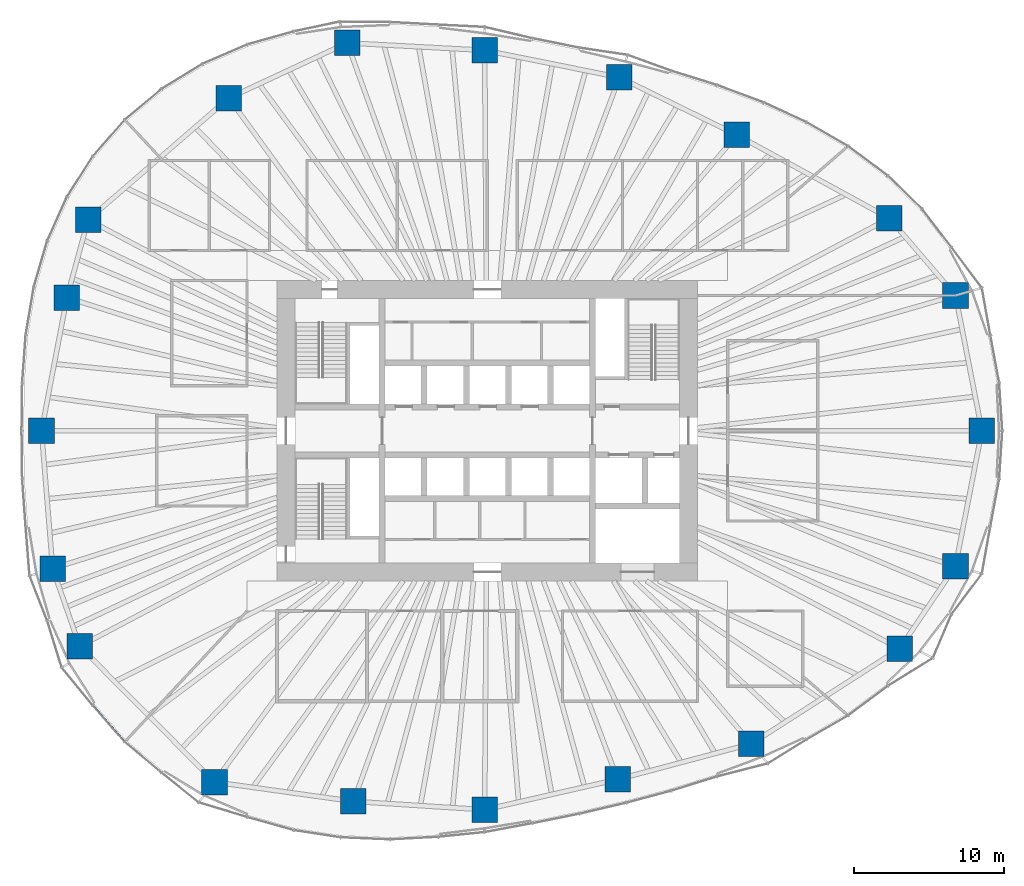
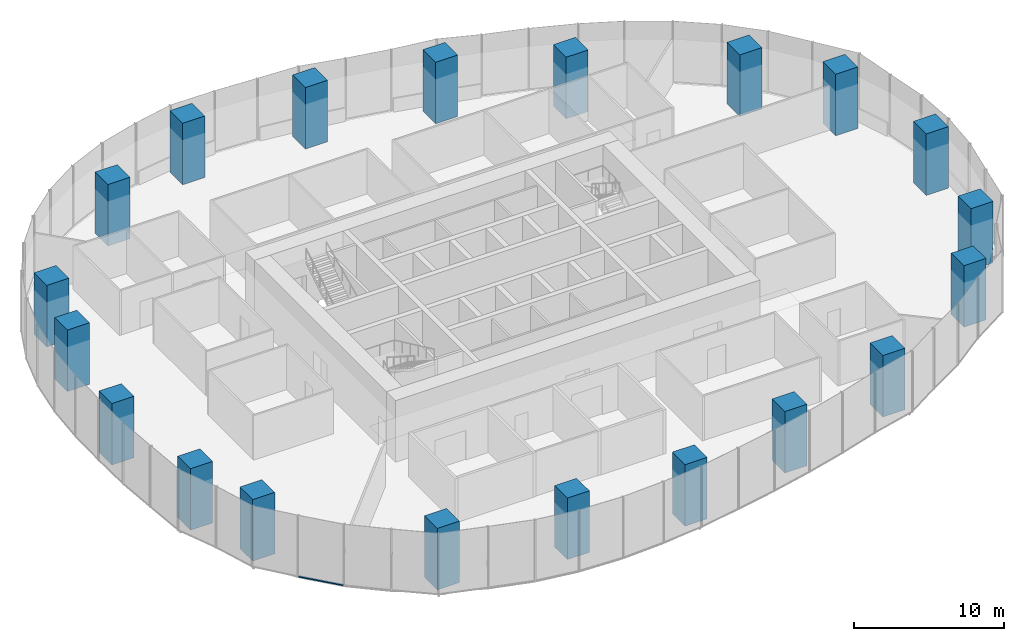
# One storey, part 1 of 19: 20 columns, 1 member, 1 element without a shape of its own.
"""IFC4 building model written with IfcOpenShell, lengths in metres."""

from ifc_helpers import new_model, si_unit, direction, frame, origin, origin_2d, place, context, subcontext, project, spatial, rectangle, extrude, material, material_profile, profile_set, type_object, element, aggregate, save


model = new_model("IFC4")

# Units and contexts
model_context = context("Model", 3, precision=1e-05, world=origin(), true_north=direction((0.0, 1.0)))
body_context = subcontext(model_context, "Body", "Model", "MODEL_VIEW")
ifc_project = project(units=[si_unit("LENGTHUNIT", "METRE"), si_unit("AREAUNIT", "SQUARE_METRE"), si_unit("VOLUMEUNIT", "CUBIC_METRE"), si_unit("PLANEANGLEUNIT", "RADIAN"), si_unit("MASSUNIT", "GRAM", prefix="KILO")], contexts=[model_context])

# Site, building, storey
site_placement = place(None, origin())
site = spatial("IfcSite", under=ifc_project, at=site_placement, CompositionType="ELEMENT")
building_placement = place(site_placement, origin())
building = spatial("IfcBuilding", under=site, at=building_placement, Name="Ghaith Harvest Tower", CompositionType="ELEMENT")
storey_placement = place(building_placement, frame((0.0, 0.0, 70.0)))
storey = spatial("IfcBuildingStorey", under=building, at=storey_placement, Name="L14", CompositionType="ELEMENT", Elevation=70.0)

# Columns
ifc_material_1 = material(Name="Concrete C70/85", Category="concrete")
ifc_material_profile_1 = material_profile(ifc_material_1, rectangle(XDim=1.699951171875, YDim=1.699951171875, at=origin_2d()), Name="RC1700X1700")
ifc_profile_set_1 = profile_set([ifc_material_profile_1], Name="Concrete C70/85")
column_type = type_object("IfcColumnType", Name="TC2 RC1700X1700", PredefinedType="COLUMN", material=ifc_profile_set_1)
for number, where, z_axis, x_axis, name in (
    (1, (32.925048828125, 0.0, 0.0), (0.0, 0.0, 1.0), (1.0, 0.0, 0.0), "Perimeter column C01"),
    (2, (31.166015625, 9.008056640625, 0.0), (0.0, 0.0, 1.0), (1.0, 0.0, 0.0), "Perimeter column C02"),
    (3, (26.763916015625, 14.14697265625, 0.0), (0.0, 0.0, 1.0), (1.0, 0.0, 0.0), "Perimeter column C03"),
    (4, (16.60791015625, 19.695068359375, 0.0), (0.0, 0.0, 1.0), (1.0, 0.0, 0.0), "Perimeter column C04"),
    (5, (8.794921875, 23.527099609375, 0.0), (0.0, 0.0, 1.0), (1.0, 0.0, 0.0), "Perimeter column C05"),
    (6, (-0.173095703125, 25.326904296875, 0.0), (0.0, 0.0, 1.0), (1.0, 0.0, 0.0), "Perimeter column C06"),
    (7, (-9.325927734375, 25.821044921875, 0.0), (0.0, 0.0, 1.0), (1.0, 0.0, 0.0), "Perimeter column C07"),
    (8, (-17.201904296875, 22.14990234375, 0.0), (0.0, 0.0, 1.0), (1.0, 0.0, 0.0), "Perimeter column C08"),
    (9, (-26.572998046875, 14.0458984375, 0.0), (0.0, 0.0, 1.0), (1.0, 0.0, 0.0), "Perimeter column C09"),
    (10, (-27.98291015625, 8.867919921875, 0.0), (0.0, 0.0, 1.0), (1.0, 0.0, 0.0), "Perimeter column C10"),
    (11, (-29.675048828125, 0.0, 0.0), (0.0, 0.0, 1.0), (1.0, 0.0, 0.0), "Perimeter column C11"),
    (12, (-28.929931640625, -9.16796875, 0.0), (0.0, 0.0, 1.0), (1.0, 0.0, 0.0), "Perimeter column C12"),
    (13, (-27.132080078125, -14.341064453125, 0.0), (0.0, 0.0, 1.0), (1.0, 0.0, 0.0), "Perimeter column C13"),
    (14, (-18.157958984375, -23.3798828125, 0.0), (0.0, 0.0, 1.0), (1.0, 0.0, 0.0), "Perimeter column C14"),
    (15, (-8.908935546875, -24.66796875, 0.0), (0.0, 0.0, 1.0), (1.0, 0.0, 0.0), "Perimeter column C15"),
    (16, (-0.173095703125, -25.22412109375, 0.0), (0.0, 0.0, 1.0), (1.0, 0.0, 0.0), "Perimeter column C16"),
    (17, (8.674072265625, -23.202880859375, 0.0), (0.0, 0.0, 1.0), (1.0, 0.0, 0.0), "Perimeter column C17"),
    (18, (17.572021484375, -20.8369140625, 0.0), (0.0, 0.0, 1.0), (1.0, 0.0, 0.0), "Perimeter column C18"),
    (19, (27.448974609375, -14.509033203125, 0.0), (0.0, 0.0, 1.0), (1.0, 0.0, 0.0), "Perimeter column C19"),
    (20, (31.166015625, -9.008056640625, 0.0), (0.0, 0.0, 1.0), (1.0, 0.0, 0.0), "Perimeter column C20"),
):
    element("IfcColumn", number, at=place(storey_placement, frame(where, z_axis=z_axis, x_axis=x_axis)), inside=storey, type_object=column_type, Name=name, PredefinedType="COLUMN", context=body_context, shape_type="SweptSolid", body=[
        extrude(rectangle(XDim=1.699951171875, YDim=1.699951171875, at=origin_2d()), origin(), (0.0, 0.0, 1.0), 5.0),
    ])

# Curtain wall, member
ifc_material_2 = material(Name="Black anodised aluminium and fritted glass", Category="aluminium")
curtain_wall_type = type_object("IfcCurtainWallType", Name="CW-F CURTAIN WALL", PredefinedType="NOTDEFINED", material=ifc_material_2)
curtain_wall_placement = place(storey_placement, origin())
curtain_wall = element("IfcCurtainWall", 21, at=curtain_wall_placement, inside=storey, type_object=curtain_wall_type, Name="Curtain wall CW-F bay 13 L14", PredefinedType="NOTDEFINED")
ifc_material_3 = material(Name="Aluminium, black anodised", Category="aluminium")
ifc_material_profile_2 = material_profile(ifc_material_3, rectangle(XDim=0.139892578125, YDim=0.080078125, at=origin_2d()), Name="CW-F TRANSOM 140x80")
ifc_profile_set_2 = profile_set([ifc_material_profile_2], Name="Aluminium, black anodised")
member_type = type_object("IfcMemberType", Name="CW-F TRANSOM 140x80", PredefinedType="USERDEFINED", material=ifc_profile_set_2)
member_placement = place(storey_placement, frame((-26.23681640625, -18.30419921875, 0.0400390625), z_axis=(0.65923052982, -0.751940894322, 0.0), x_axis=(0.751940894322, 0.65923052982, 0.0)))
member = element("IfcMember", 22, at=member_placement, type_object=member_type, Name="CW-F transom 1 bay 13 L14", ObjectType="TRANSOM", PredefinedType="USERDEFINED", context=body_context, shape_type="SweptSolid", body=[
    extrude(rectangle(XDim=0.139892578125, YDim=0.080078125, at=origin_2d()), origin(), (0.0, 0.0, 1.0), 3.1416015625),
])
aggregate(curtain_wall, [member])

save(model, "model.ifc")
